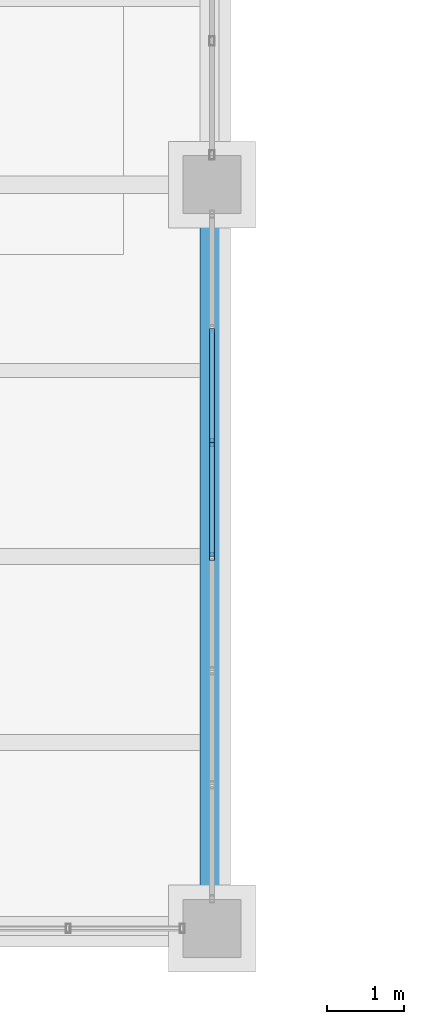
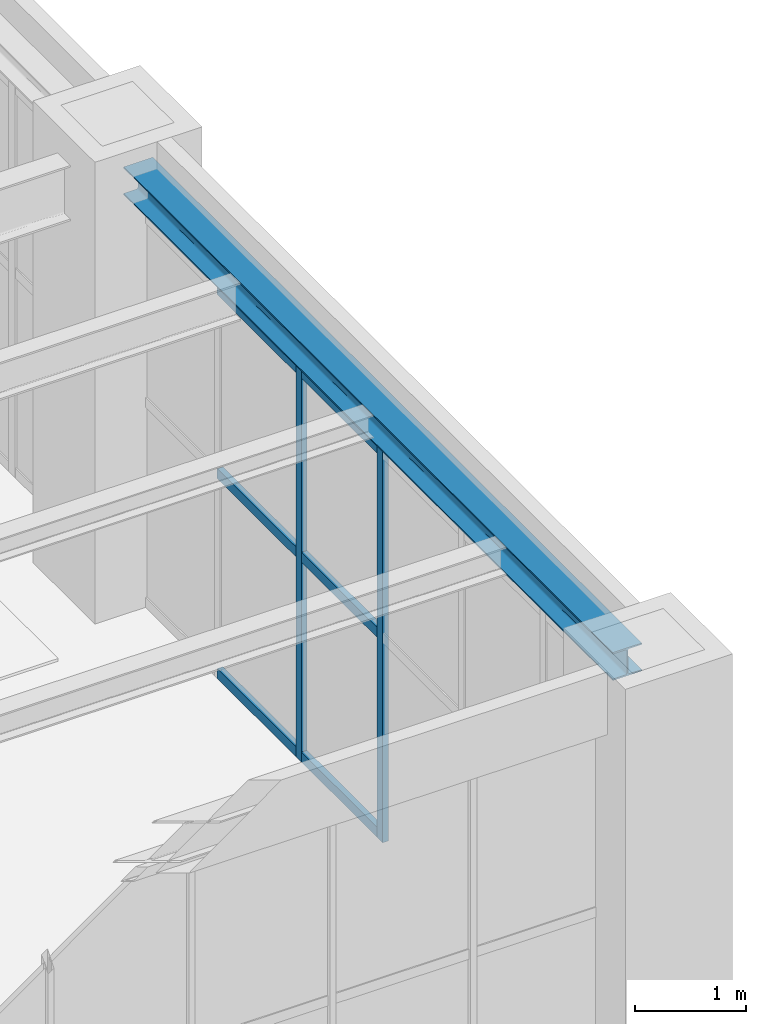
# One storey, part 24 of 174: 8 members, 1 beam, 1 element without a shape of its own.
"""IFC4 building model written with IfcOpenShell, lengths in metres."""

import ifcopenshell
import ifcopenshell.guid

model = None  # the IFC model being written
_history = None  # IfcOwnerHistory: only IFC2X3 demands one
_inside = {}  # id of a spatial element -> (the spatial element, [elements in it])
_under = {}  # id of a project, library or spatial element -> (it, [spatial elements below it])
_declared = {}  # id of a project -> (the project, [libraries it declares])
_typed = {}  # id of a type object -> (the type object, [elements of that type])
_made_of = {}  # id of a material, layer set ... -> (it, [elements and type objects made of it])


def new_model(schema):
    """Start an empty IFC model of exactly this schema.

    Asked for "IFC4X3", IfcOpenShell would pick the latest addendum, in which some entities
    have other attributes; the version numbers below select the first issue.
    IFC2X3 requires an IfcOwnerHistory on every rooted entity: one is made here for all.
    """
    global model, _history
    if schema == "IFC4X3":
        model = ifcopenshell.file(schema_version=(4, 3, 0, 0))
    else:
        model = ifcopenshell.file(schema=schema)
    _inside.clear()
    _under.clear()
    _declared.clear()
    _typed.clear()
    _made_of.clear()
    _history = None
    if model.schema == "IFC2X3":
        org = make("IfcOrganization", Name="unknown")
        user = make(
            "IfcPersonAndOrganization",
            ThePerson=make("IfcPerson", FamilyName="unknown"),
            TheOrganization=org,
        )
        app = make(
            "IfcApplication",
            ApplicationDeveloper=org,
            Version="unknown",
            ApplicationFullName="unknown",
            ApplicationIdentifier="unknown",
        )
        _history = make(
            "IfcOwnerHistory",
            OwningUser=user,
            OwningApplication=app,
            ChangeAction="ADDED",
            CreationDate=0,
        )
    return model


def make(cls, **values):
    """One entity of the class cls with the attributes given. An attribute that is None is left unset."""
    return model.create_entity(
        cls, **{name: value for name, value in values.items() if value is not None}
    )


def rooted(cls, **values):
    """An entity with a GlobalId (a new one), such as an element, a storey or a relation."""
    return make(cls, GlobalId=ifcopenshell.guid.new(), OwnerHistory=_history, **values)


def si_unit(unit_type, name, prefix=None):
    """IfcSIUnit, for example si_unit("LENGTHUNIT", "METRE", prefix="MILLI")."""
    return make("IfcSIUnit", UnitType=unit_type, Prefix=prefix, Name=name)


def assignment(units):
    """IfcUnitAssignment: the units of a project."""
    return None if units is None else make("IfcUnitAssignment", Units=units)


def point(xyz):
    """IfcCartesianPoint."""
    return None if xyz is None else make("IfcCartesianPoint", Coordinates=xyz)


def direction(xyz):
    """IfcDirection."""
    return None if xyz is None else make("IfcDirection", DirectionRatios=xyz)


def frame(location, z_axis=None, x_axis=None):
    """IfcAxis2Placement3D, a coordinate frame: its origin and axes. An axis left out is left unset."""
    return make(
        "IfcAxis2Placement3D",
        Location=point(location),
        Axis=direction(z_axis),
        RefDirection=direction(x_axis),
    )


def frame_2d(location, x_axis=None):
    """IfcAxis2Placement2D, a coordinate frame in the plane: its origin and x axis."""
    return make(
        "IfcAxis2Placement2D", Location=point(location), RefDirection=direction(x_axis)
    )


def origin():
    """The frame at (0, 0, 0) with its axes left unset."""
    return frame((0.0, 0.0, 0.0))


def origin_2d():
    """The frame at (0, 0) in the plane with its x axis left unset."""
    return frame_2d((0.0, 0.0))


def place(relative_to, where):
    """IfcLocalPlacement: puts the frame where relative to a parent placement (None: the world)."""
    return make(
        "IfcLocalPlacement", PlacementRelTo=relative_to, RelativePlacement=where
    )


def context(
    kind, dimensions, precision=None, world=None, true_north=None, identifier=None
):
    """IfcGeometricRepresentationContext, for example the 3D "Model" context."""
    return make(
        "IfcGeometricRepresentationContext",
        ContextIdentifier=identifier,
        ContextType=kind,
        CoordinateSpaceDimension=dimensions,
        Precision=precision,
        WorldCoordinateSystem=world,
        TrueNorth=true_north,
    )


def subcontext(parent, identifier, kind, view, scale=None):
    """IfcGeometricRepresentationSubContext, for example "Body" below "Model"."""
    return make(
        "IfcGeometricRepresentationSubContext",
        ContextIdentifier=identifier,
        ContextType=kind,
        ParentContext=parent,
        TargetScale=scale,
        TargetView=view,
    )


def project(units=None, contexts=None):
    """IfcProject with its units and contexts."""
    return rooted(
        "IfcProject",
        Name="project",
        RepresentationContexts=contexts,
        UnitsInContext=assignment(units),
    )


def spatial(cls, under=None, at=None, **own):
    """A site, building, storey or space (cls), placed at a placement, below another one or the project."""
    s = rooted(cls, ObjectPlacement=at, **own)
    if under is not None:
        _under.setdefault(under.id(), (under, []))[1].append(s)
    return s


def profile(cls, at=None, kind="AREA", **sizes):
    """A parametric profile (cls). Its sizes go by their IFC names, for example OverallWidth=200.0."""
    return make(cls, ProfileType=kind, Position=at, **sizes)


def hollow_rectangle(**sizes):
    """IfcRectangleHollowProfileDef."""
    return profile("IfcRectangleHollowProfileDef", **sizes)


def i_section(**sizes):
    """IfcIShapeProfileDef."""
    return profile("IfcIShapeProfileDef", **sizes)


def extrude(swept, where, along, depth):
    """IfcExtrudedAreaSolid: the profile swept, set in the frame where, extruded along a direction by depth."""
    return make(
        "IfcExtrudedAreaSolid",
        SweptArea=swept,
        Position=where,
        ExtrudedDirection=direction(along),
        Depth=depth,
    )


def shape(context_of_items, identifier, shape_type, items):
    """IfcShapeRepresentation: the items that make up one representation, for example the "Body"."""
    return make(
        "IfcShapeRepresentation",
        ContextOfItems=context_of_items,
        RepresentationIdentifier=identifier,
        RepresentationType=shape_type,
        Items=items,
    )


def material(Name=None, Category=None):
    """IfcMaterial."""
    return make("IfcMaterial", Name=Name, Category=Category)


def material_profile(
    of_material, cross_section, Name=None, Category=None, Priority=None
):
    """IfcMaterialProfile: a cross section and its material."""
    return make(
        "IfcMaterialProfile",
        Name=Name,
        Material=of_material,
        Profile=cross_section,
        Priority=Priority,
        Category=Category,
    )


def profile_set(profiles, Name=None, composite=None):
    """IfcMaterialProfileSet."""
    return make(
        "IfcMaterialProfileSet",
        Name=Name,
        MaterialProfiles=profiles,
        CompositeProfile=composite,
    )


def made_of(thing, what):
    """Note that an element or type object is made of a material, layer set ...; save() writes the relation."""
    if what is not None:
        _made_of.setdefault(what.id(), (what, []))[1].append(thing)
    return thing


def type_object(cls, material=None, **own):
    """A type object (cls), such as IfcWallType, which elements share."""
    return made_of(rooted(cls, **own), material)


def element(
    cls,
    number,
    at=None,
    inside=None,
    cuts=None,
    type_object=None,
    material=None,
    context=None,
    identifier="Body",
    shape_type=None,
    held_by="IfcProductDefinitionShape",
    body=None,
    shapes=None,
    **own,
):
    """One element of the class cls, such as IfcWall. Its Tag is "e" and its number.

    at: its placement. inside: the storey or other place that contains it. cuts: it is an
    opening in that element (IfcRelVoidsElement). A single representation is given by context,
    identifier, shape_type and body (its items); several are given by shapes. held_by: the class
    of the entity that holds the representations. save() writes the other relations.
    """
    e = rooted(cls, Tag="e%d" % number, ObjectPlacement=at, **own)
    if body is not None:
        shapes = [shape(context, identifier, shape_type, body)]
    if shapes is not None:
        e.Representation = make(held_by, Representations=shapes)
    if inside is not None:
        _inside.setdefault(inside.id(), (inside, []))[1].append(e)
    if cuts is not None:
        rooted(
            "IfcRelVoidsElement", RelatingBuildingElement=cuts, RelatedOpeningElement=e
        )
    if type_object is not None:
        _typed.setdefault(type_object.id(), (type_object, []))[1].append(e)
    return made_of(e, material)


def aggregate(whole, parts):
    """IfcRelAggregates: a whole, such as a stair, and the parts it consists of."""
    return rooted("IfcRelAggregates", RelatingObject=whole, RelatedObjects=parts)


def save(model, path):
    """Write the relations noted so far, then the file.

    IfcRelAggregates (storeys below a building ...), IfcRelContainedInSpatialStructure (elements
    in a storey), IfcRelDefinesByType, IfcRelAssociatesMaterial and IfcRelDeclares: one each for
    every whole, place, type object, material and project.
    """
    for whole, parts in _under.values():
        aggregate(whole, parts)
    for where, things in _inside.values():
        rooted(
            "IfcRelContainedInSpatialStructure",
            RelatedElements=things,
            RelatingStructure=where,
        )
    for kind, things in _typed.values():
        rooted("IfcRelDefinesByType", RelatedObjects=things, RelatingType=kind)
    for what, things in _made_of.values():
        rooted("IfcRelAssociatesMaterial", RelatedObjects=things, RelatingMaterial=what)
    for by, libraries in _declared.values():
        rooted("IfcRelDeclares", RelatingContext=by, RelatedDefinitions=libraries)
    model.write(path)


model = new_model("IFC4")

# Units and contexts
model_context = context("Model", 3, precision=1e-05, world=origin(), true_north=direction((0.0, 1.0)))
body_context = subcontext(model_context, "Body", "Model", "MODEL_VIEW")
ifc_project = project(units=[si_unit("LENGTHUNIT", "METRE"), si_unit("AREAUNIT", "SQUARE_METRE"), si_unit("VOLUMEUNIT", "CUBIC_METRE"), si_unit("PLANEANGLEUNIT", "RADIAN"), si_unit("MASSUNIT", "GRAM", prefix="KILO")], contexts=[model_context])

# Site, building, storey
site_placement = place(None, origin())
site = spatial("IfcSite", under=ifc_project, at=site_placement, CompositionType="ELEMENT")
building_placement = place(site_placement, origin())
building = spatial("IfcBuilding", under=site, at=building_placement, Name="Mavantir Sound Aquarium", CompositionType="ELEMENT")
storey_placement = place(building_placement, frame((0.0, 0.0, 5.39990234375)))
storey = spatial("IfcBuildingStorey", under=building, at=storey_placement, Name="L01", CompositionType="ELEMENT", Elevation=5.39990234375)

# Beam
ifc_material_1 = material(Name="Structural Steel ASTM A992 Gr50", Category="steel")
ifc_material_profile_1 = material_profile(ifc_material_1, i_section(OverallWidth=0.304931640625, OverallDepth=0.30810546875, WebThickness=0.010009765625, FlangeThickness=0.015380859375, FilletRadius=0.014892578125, at=origin_2d()), Name="W310X97")
ifc_profile_set_1 = profile_set([ifc_material_profile_1], Name="Structural Steel ASTM A992 Gr50")
beam_type = type_object("IfcBeamType", Name="BM-W310X97-E", PredefinedType="SPANDREL", material=ifc_profile_set_1)
beam_placement = place(storey_placement, frame((38.39990234375, 0.375, 4.64208984375), z_axis=(0.0, 1.0, 0.0), x_axis=(-1.0, 0.0, 0.0)))
element("IfcBeam", 1, at=beam_placement, inside=storey, type_object=beam_type, Name="L01 primary girder SS-31A 1234", PredefinedType="SPANDREL", context=body_context, shape_type="SweptSolid", body=[
    extrude(i_section(OverallWidth=0.304931640625, OverallDepth=0.30810546875, WebThickness=0.010009765625, FlangeThickness=0.015380859375, FilletRadius=0.014892578125, at=origin_2d()), origin(), (0.0, 0.0, 1.0), 8.85009765625),
])

# Curtain wall, members
ifc_material_2 = material(Name="Anodised Marine Aluminium and Low-E Glass", Category="aluminium")
curtain_wall_type = type_object("IfcCurtainWallType", Name="CW-T19", PredefinedType="USERDEFINED", material=ifc_material_2)
curtain_wall_placement = place(storey_placement, origin())
curtain_wall = element("IfcCurtainWall", 2, at=curtain_wall_placement, inside=storey, type_object=curtain_wall_type, Name="L01 unitised curtain wall CW-19 67", ObjectType="UNITISED GLAZING", PredefinedType="USERDEFINED")
ifc_material_3 = material(Name="Anodised Marine Aluminium 6063-T6", Category="aluminium")
ifc_material_profile_2 = material_profile(ifc_material_3, hollow_rectangle(XDim=0.06005859375, YDim=0.10009765625, WallThickness=0.00390625, at=origin_2d()), Name="ALU-MULLION-100X60")
ifc_profile_set_2 = profile_set([ifc_material_profile_2], Name="Anodised Marine Aluminium 6063-T6")
member_type_1 = type_object("IfcMemberType", Name="CW-MUL-100", PredefinedType="MULLION", material=ifc_profile_set_2)
member_1_placement = place(storey_placement, frame((38.39990234375, 4.800048828125, 0.0), z_axis=(0.0, 0.0, 1.0), x_axis=(1.0, 0.0, 0.0)))
member_1 = element("IfcMember", 3, at=member_1_placement, type_object=member_type_1, Name="CW-L01-067 vertical mullion 4", PredefinedType="MULLION", context=body_context, shape_type="SweptSolid", body=[
    extrude(hollow_rectangle(XDim=0.06005859375, YDim=0.10009765625, WallThickness=0.00390625, at=origin_2d()), origin(), (0.0, 0.0, 1.0), 4.34912109375),
])
member_2_placement = place(storey_placement, frame((38.39990234375, 6.272216796875, 0.0), z_axis=(0.0, 0.0, 1.0), x_axis=(1.0, 0.0, 0.0)))
member_2 = element("IfcMember", 4, at=member_2_placement, type_object=member_type_1, Name="CW-L01-067 vertical mullion 5", PredefinedType="MULLION", context=body_context, shape_type="SweptSolid", body=[
    extrude(hollow_rectangle(XDim=0.06005859375, YDim=0.10009765625, WallThickness=0.00390625, at=origin_2d()), origin(), (0.0, 0.0, 1.0), 4.34912109375),
])
ifc_material_profile_3 = material_profile(ifc_material_3, hollow_rectangle(XDim=0.06005859375, YDim=0.110107421875, WallThickness=0.00390625, at=origin_2d()), Name="ALU-TRANSOM-110X60")
ifc_profile_set_3 = profile_set([ifc_material_profile_3], Name="Anodised Marine Aluminium 6063-T6")
member_type_2 = type_object("IfcMemberType", Name="CW-TRN-110", PredefinedType="USERDEFINED", material=ifc_profile_set_3)
member_3_placement = place(storey_placement, frame((38.39990234375, 4.800048828125, 0.05517578125), z_axis=(0.0, 1.0, 0.0), x_axis=(-1.0, 0.0, 0.0)))
member_3 = element("IfcMember", 5, at=member_3_placement, type_object=member_type_2, Name="CW-L01-067 transom 4.1", ObjectType="TRANSOM", PredefinedType="USERDEFINED", context=body_context, shape_type="SweptSolid", body=[
    extrude(hollow_rectangle(XDim=0.06005859375, YDim=0.110107421875, WallThickness=0.00390625, at=origin_2d()), origin(), (0.0, 0.0, 1.0), 1.47216796875),
])
member_4_placement = place(storey_placement, frame((38.39990234375, 4.800048828125, 2.26171875), z_axis=(0.0, 1.0, 0.0), x_axis=(-1.0, 0.0, 0.0)))
member_4 = element("IfcMember", 6, at=member_4_placement, type_object=member_type_2, Name="CW-L01-067 transom 4.2", ObjectType="TRANSOM", PredefinedType="USERDEFINED", context=body_context, shape_type="SweptSolid", body=[
    extrude(hollow_rectangle(XDim=0.06005859375, YDim=0.110107421875, WallThickness=0.00390625, at=origin_2d()), origin(), (0.0, 0.0, 1.0), 1.47216796875),
])
member_5_placement = place(storey_placement, frame((38.39990234375, 4.800048828125, 4.294189453125), z_axis=(0.0, 1.0, 0.0), x_axis=(-1.0, 0.0, 0.0)))
member_5 = element("IfcMember", 7, at=member_5_placement, type_object=member_type_2, Name="CW-L01-067 transom 4.3", ObjectType="TRANSOM", PredefinedType="USERDEFINED", context=body_context, shape_type="SweptSolid", body=[
    extrude(hollow_rectangle(XDim=0.06005859375, YDim=0.110107421875, WallThickness=0.00390625, at=origin_2d()), origin(), (0.0, 0.0, 1.0), 1.47216796875),
])
member_6_placement = place(storey_placement, frame((38.39990234375, 6.272216796875, 0.05517578125), z_axis=(0.0, 1.0, 0.0), x_axis=(-1.0, 0.0, 0.0)))
member_6 = element("IfcMember", 8, at=member_6_placement, type_object=member_type_2, Name="CW-L01-067 transom 5.1", ObjectType="TRANSOM", PredefinedType="USERDEFINED", context=body_context, shape_type="SweptSolid", body=[
    extrude(hollow_rectangle(XDim=0.06005859375, YDim=0.110107421875, WallThickness=0.00390625, at=origin_2d()), origin(), (0.0, 0.0, 1.0), 1.472412109375),
])
member_7_placement = place(storey_placement, frame((38.39990234375, 6.272216796875, 2.26171875), z_axis=(0.0, 1.0, 0.0), x_axis=(-1.0, 0.0, 0.0)))
member_7 = element("IfcMember", 9, at=member_7_placement, type_object=member_type_2, Name="CW-L01-067 transom 5.2", ObjectType="TRANSOM", PredefinedType="USERDEFINED", context=body_context, shape_type="SweptSolid", body=[
    extrude(hollow_rectangle(XDim=0.06005859375, YDim=0.110107421875, WallThickness=0.00390625, at=origin_2d()), origin(), (0.0, 0.0, 1.0), 1.472412109375),
])
member_8_placement = place(storey_placement, frame((38.39990234375, 6.272216796875, 4.294189453125), z_axis=(0.0, 1.0, 0.0), x_axis=(-1.0, 0.0, 0.0)))
member_8 = element("IfcMember", 10, at=member_8_placement, type_object=member_type_2, Name="CW-L01-067 transom 5.3", ObjectType="TRANSOM", PredefinedType="USERDEFINED", context=body_context, shape_type="SweptSolid", body=[
    extrude(hollow_rectangle(XDim=0.06005859375, YDim=0.110107421875, WallThickness=0.00390625, at=origin_2d()), origin(), (0.0, 0.0, 1.0), 1.472412109375),
])
aggregate(curtain_wall, [member_1, member_2, member_3, member_4, member_5, member_6, member_7, member_8])

save(model, "model.ifc")
